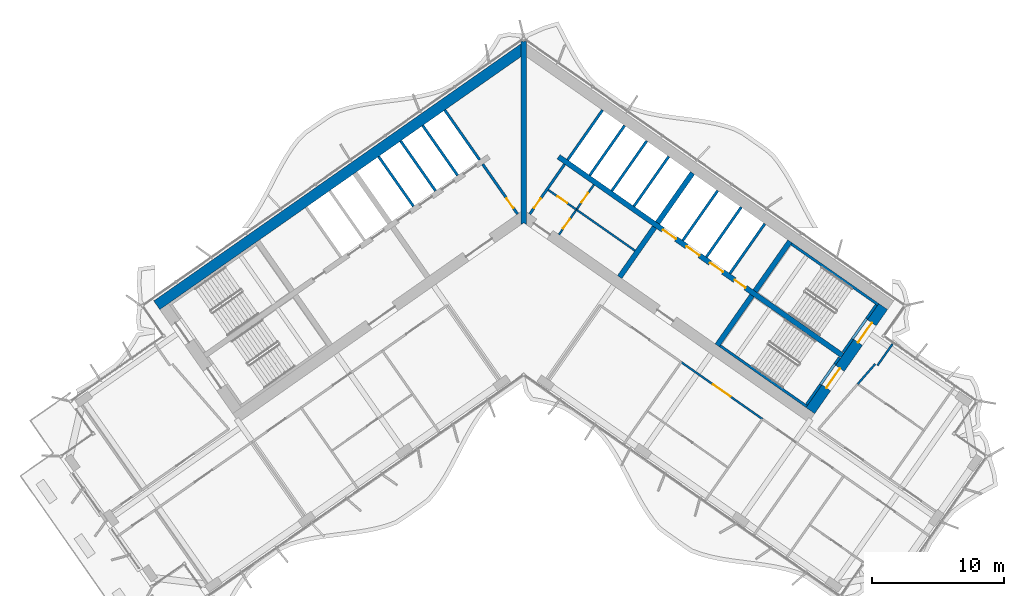
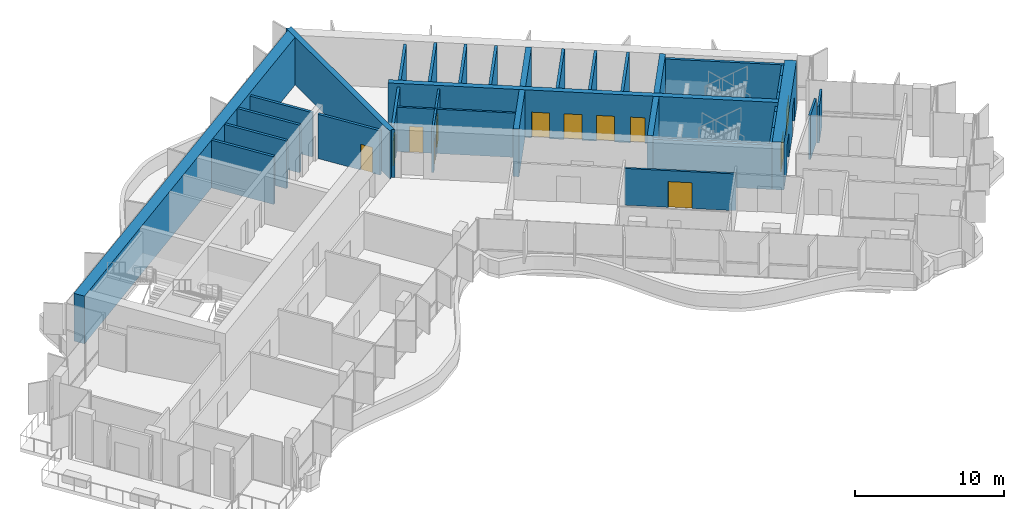
# One storey, part 14 of 22: 35 walls, 12 doors, 12 openings.
"""IFC4 building model written with IfcOpenShell, lengths in metres."""

from ifc_helpers import new_model, si_unit, direction, frame, frame_2d, origin, place, context, subcontext, project, spatial, polyline, rectangle, outline, extrude, material, layer, layer_set, type_object, element, fill, save


model = new_model("IFC4")

# Units and contexts
model_context = context("Model", 3, precision=1e-05, world=origin(), true_north=direction((0.0, 1.0)))
body_context = subcontext(model_context, "Body", "Model", "MODEL_VIEW")
ifc_project = project(units=[si_unit("LENGTHUNIT", "METRE"), si_unit("AREAUNIT", "SQUARE_METRE"), si_unit("VOLUMEUNIT", "CUBIC_METRE"), si_unit("PLANEANGLEUNIT", "RADIAN"), si_unit("MASSUNIT", "GRAM", prefix="KILO")], contexts=[model_context])

# Site, building, storey
site_placement = place(None, origin())
site = spatial("IfcSite", under=ifc_project, at=site_placement, CompositionType="ELEMENT")
building_placement = place(site_placement, origin())
building = spatial("IfcBuilding", under=site, at=building_placement, Name="Tel Ilan Convention Tower", CompositionType="ELEMENT")
storey_placement = place(building_placement, frame((0.0, 0.0, 202.199951171875)))
storey = spatial("IfcBuildingStorey", under=building, at=storey_placement, Name="L47", CompositionType="ELEMENT", Elevation=202.199951171875)

# Wall, openings, doors
ifc_material_1 = material(Name="Gypsum Plasterboard on Steel Stud", Category="steel")
ifc_layer_1 = layer(ifc_material_1, 0.14990234375)
ifc_layer_set_1 = layer_set([ifc_layer_1], Name="Core Room Partition Wall 150 mm EI 60")
wall_type_1 = type_object("IfcWallType", Name="Core Room Partition Wall 150 mm EI 60", PredefinedType="PARTITIONING", material=ifc_layer_set_1)
wall_1_placement = place(storey_placement, frame((2.67041015625, -2.114013671875, 0.0), z_axis=(0.0, 0.0, 1.0), x_axis=(0.573576324356, 0.819152122709, 0.0)))
wall_1 = element("IfcWall", 1, at=wall_1_placement, inside=storey, type_object=wall_type_1, Name="L47 core wall wc-v1", PredefinedType="PARTITIONING", context=body_context, shape_type="SweptSolid", body=[
    extrude(rectangle(XDim=4.599853515625, YDim=0.14990234375, at=frame_2d((2.2998046875, 0.0))), origin(), (0.0, 0.0, 1.0), 3.6201171875),
])
opening_1_placement = place(wall_1_placement, frame((0.550048828125, 0.0, 0.0)))
opening_1 = element("IfcOpeningElement", 2, at=opening_1_placement, cuts=wall_1, Name="Opening CD3710", PredefinedType="OPENING", context=body_context, shape_type="SweptSolid", body=[
    extrude(rectangle(XDim=0.89990234375, YDim=2.10009765625, at=frame_2d((0.449951171875, 1.050048828125))), frame((0.0, 0.0849609375, 0.0), z_axis=(0.0, -1.0, 0.0), x_axis=(1.0, 0.0, 0.0)), (0.0, 0.0, 1.0), 0.169921875),
])
opening_2_placement = place(wall_1_placement, frame((2.949951171875, 0.0, 0.0)))
opening_2 = element("IfcOpeningElement", 3, at=opening_2_placement, cuts=wall_1, Name="Opening CD3711", PredefinedType="OPENING", context=body_context, shape_type="SweptSolid", body=[
    extrude(rectangle(XDim=0.89990234375, YDim=2.10009765625, at=frame_2d((0.449951171875, 1.050048828125))), frame((0.0, 0.0849609375, 0.0), z_axis=(0.0, -1.0, 0.0), x_axis=(1.0, 0.0, 0.0)), (0.0, 0.0, 1.0), 0.169921875),
])
ifc_material_2 = material(Name="Laminated Timber Door Leaf", Category="wood")
door_type_1 = type_object("IfcDoorType", Name="Toilet Door 900 x 2100 FD30S", OperationType="NOTDEFINED", PredefinedType="DOOR", material=ifc_material_2)
door_1_placement = place(opening_1_placement, origin())
door_1 = element("IfcDoor", 4, at=door_1_placement, inside=storey, type_object=door_type_1, Name="Women's WC door", OperationType="SINGLE_SWING_RIGHT", OverallHeight=2.10009765625, OverallWidth=0.89990234375, PredefinedType="DOOR", context=body_context, shape_type="SweptSolid", body=[
    extrude(rectangle(XDim=0.89990234375, YDim=2.10009765625, at=frame_2d((0.449951171875, 1.050048828125))), frame((0.0, 0.02490234375, 0.0), z_axis=(0.0, -1.0, 0.0), x_axis=(1.0, 0.0, 0.0)), (0.0, 0.0, 1.0), 0.050048828125),
])
fill(opening_1, door_1)
door_2_placement = place(opening_2_placement, origin())
door_2 = element("IfcDoor", 5, at=door_2_placement, inside=storey, type_object=door_type_1, Name="Men's WC door", OperationType="SINGLE_SWING_RIGHT", OverallHeight=2.10009765625, OverallWidth=0.89990234375, PredefinedType="DOOR", context=body_context, shape_type="SweptSolid", body=[
    extrude(rectangle(XDim=0.89990234375, YDim=2.10009765625, at=frame_2d((0.449951171875, 1.050048828125))), frame((0.0, 0.02490234375, 0.0), z_axis=(0.0, -1.0, 0.0), x_axis=(1.0, 0.0, 0.0)), (0.0, 0.0, 1.0), 0.050048828125),
])
fill(opening_2, door_2)

# Wall, opening, door
wall_2_placement = place(storey_placement, frame((1.85986328125, 1.261474609375, 0.0), z_axis=(0.0, 0.0, 1.0), x_axis=(0.819103967032, -0.573645091666, 0.0)))
wall_2 = element("IfcWall", 6, at=wall_2_placement, inside=storey, type_object=wall_type_1, Name="L47 core wall wc-h1", PredefinedType="PARTITIONING", context=body_context, shape_type="SweptSolid", body=[
    extrude(rectangle(XDim=2.599853515625, YDim=0.14990234375, at=frame_2d((1.2998046875, 0.0))), origin(), (0.0, 0.0, 1.0), 3.6201171875),
])
opening_3_placement = place(wall_2_placement, frame((0.85009765625, 0.0, 0.0)))
opening_3 = element("IfcOpeningElement", 7, at=opening_3_placement, cuts=wall_2, Name="Opening CD3709", PredefinedType="OPENING", context=body_context, shape_type="SweptSolid", body=[
    extrude(rectangle(XDim=0.89990234375, YDim=2.10009765625, at=frame_2d((0.449951171875, 1.050048828125))), frame((0.0, 0.0849609375, 0.0), z_axis=(0.0, -1.0, 0.0), x_axis=(1.0, 0.0, 0.0)), (0.0, 0.0, 1.0), 0.169921875),
])
door_3_placement = place(opening_3_placement, origin())
door_3 = element("IfcDoor", 8, at=door_3_placement, inside=storey, type_object=door_type_1, Name="Accessible WC door", OperationType="SINGLE_SWING_RIGHT", OverallHeight=2.10009765625, OverallWidth=0.89990234375, PredefinedType="DOOR", context=body_context, shape_type="SweptSolid", body=[
    extrude(rectangle(XDim=0.89990234375, YDim=2.10009765625, at=frame_2d((0.449951171875, 1.050048828125))), frame((0.0, 0.02490234375, 0.0), z_axis=(0.0, -1.0, 0.0), x_axis=(1.0, 0.0, 0.0)), (0.0, 0.0, 1.0), 0.050048828125),
])
fill(opening_3, door_3)

# Wall
wall_3_placement = place(storey_placement, frame((3.989501953125, -0.22998046875, 0.0), z_axis=(0.0, 0.0, 1.0), x_axis=(0.819153326956, -0.573574604508, 0.0)))
element("IfcWall", 9, at=wall_3_placement, inside=storey, type_object=wall_type_1, Name="L47 core wall wc-h2", PredefinedType="PARTITIONING", context=body_context, shape_type="SweptSolid", body=[
    extrude(rectangle(XDim=5.400146484375, YDim=0.14990234375, at=frame_2d((2.7001953125, 0.0))), origin(), (0.0, 0.0, 1.0), 3.6201171875),
])

# Wall, opening, door
ifc_material_3 = material(Name="Concrete C30/37", Category="concrete")
ifc_layer_2 = layer(ifc_material_3, 0.199951171875)
ifc_layer_set_2 = layer_set([ifc_layer_2], Name="Core Service Room Wall 200 mm C30/37")
wall_type_2 = type_object("IfcWallType", Name="Core Service Room Wall 200 mm C30/37", PredefinedType="SOLIDWALL", material=ifc_layer_set_2)
wall_4_placement = place(storey_placement, frame((-0.458740234375, -0.565185546875, 0.0), z_axis=(0.0, 0.0, 1.0), x_axis=(-0.573576324356, 0.819152122709, 0.0)))
wall_4 = element("IfcWall", 10, at=wall_4_placement, inside=storey, type_object=wall_type_2, Name="L47 core wall apex-W", PredefinedType="SOLIDWALL", context=body_context, shape_type="SweptSolid", body=[
    extrude(rectangle(XDim=4.599853515625, YDim=0.199951171875, at=frame_2d((2.2998046875, 0.0))), origin(), (0.0, 0.0, 1.0), 3.6201171875),
])
opening_4_placement = place(wall_4_placement, frame((0.550048828125, 0.0, 0.0)))
opening_4 = element("IfcOpeningElement", 11, at=opening_4_placement, cuts=wall_4, Name="Opening CD3702", PredefinedType="OPENING", context=body_context, shape_type="SweptSolid", body=[
    extrude(rectangle(XDim=0.89990234375, YDim=2.10009765625, at=frame_2d((0.449951171875, 1.050048828125))), frame((0.0, 0.10986328125, 0.0), z_axis=(0.0, -1.0, 0.0), x_axis=(1.0, 0.0, 0.0)), (0.0, 0.0, 1.0), 0.219970703125),
])
ifc_material_4 = material(Name="Galvanised Steel Door Leaf", Category="steel")
door_type_2 = type_object("IfcDoorType", Name="Service Room Door 900 x 2100 FD60", OperationType="NOTDEFINED", PredefinedType="DOOR", material=ifc_material_4)
door_4_placement = place(opening_4_placement, origin())
door_4 = element("IfcDoor", 12, at=door_4_placement, inside=storey, type_object=door_type_2, Name="Electrical Room door", OperationType="SINGLE_SWING_RIGHT", OverallHeight=2.10009765625, OverallWidth=0.89990234375, PredefinedType="DOOR", context=body_context, shape_type="SweptSolid", body=[
    extrude(rectangle(XDim=0.89990234375, YDim=2.10009765625, at=frame_2d((0.449951171875, 1.050048828125))), frame((0.0, 0.02490234375, 0.0), z_axis=(0.0, -1.0, 0.0), x_axis=(1.0, 0.0, 0.0)), (0.0, 0.0, 1.0), 0.050048828125),
])
fill(opening_4, door_4)

# Wall
wall_5_placement = place(storey_placement, frame((-3.32666015625, 3.530517578125, 0.0), z_axis=(0.0, 0.0, 1.0), x_axis=(-0.573576324356, 0.819152122709, 0.0)))
element("IfcWall", 13, at=wall_5_placement, inside=storey, type_object=wall_type_2, Name="L47 core wall apex-W-b", PredefinedType="SOLIDWALL", context=body_context, shape_type="SweptSolid", body=[
    extrude(rectangle(XDim=4.599853515625, YDim=0.199951171875, at=frame_2d((2.2998046875, 0.0))), origin(), (0.0, 0.0, 1.0), 3.6201171875),
])

# Wall, opening, door
wall_6_placement = place(storey_placement, frame((0.458740234375, -0.565185546875, 0.0), z_axis=(0.0, 0.0, 1.0), x_axis=(0.573576324356, 0.819152122709, 0.0)))
wall_6 = element("IfcWall", 14, at=wall_6_placement, inside=storey, type_object=wall_type_2, Name="L47 core wall apex-E", PredefinedType="SOLIDWALL", context=body_context, shape_type="SweptSolid", body=[
    extrude(rectangle(XDim=4.599853515625, YDim=0.199951171875, at=frame_2d((2.2998046875, 0.0))), origin(), (0.0, 0.0, 1.0), 3.6201171875),
])
opening_5_placement = place(wall_6_placement, frame((0.550048828125, 0.0, 0.0)))
opening_5 = element("IfcOpeningElement", 15, at=opening_5_placement, cuts=wall_6, Name="Opening CD3701", PredefinedType="OPENING", context=body_context, shape_type="SweptSolid", body=[
    extrude(rectangle(XDim=0.89990234375, YDim=2.10009765625, at=frame_2d((0.449951171875, 1.050048828125))), frame((0.0, 0.10986328125, 0.0), z_axis=(0.0, -1.0, 0.0), x_axis=(1.0, 0.0, 0.0)), (0.0, 0.0, 1.0), 0.219970703125),
])
door_5_placement = place(opening_5_placement, origin())
door_5 = element("IfcDoor", 16, at=door_5_placement, inside=storey, type_object=door_type_2, Name="Store Room door", OperationType="SINGLE_SWING_RIGHT", OverallHeight=2.10009765625, OverallWidth=0.89990234375, PredefinedType="DOOR", context=body_context, shape_type="SweptSolid", body=[
    extrude(rectangle(XDim=0.89990234375, YDim=2.10009765625, at=frame_2d((0.449951171875, 1.050048828125))), frame((0.0, 0.02490234375, 0.0), z_axis=(0.0, -1.0, 0.0), x_axis=(1.0, 0.0, 0.0)), (0.0, 0.0, 1.0), 0.050048828125),
])
fill(opening_5, door_5)

# Walls
wall_7_placement = place(storey_placement, frame((3.32666015625, 3.530517578125, 0.0), z_axis=(0.0, 0.0, 1.0), x_axis=(0.573576324356, 0.819152122709, 0.0)))
element("IfcWall", 17, at=wall_7_placement, inside=storey, type_object=wall_type_2, Name="L47 core wall apex-E-b", PredefinedType="SOLIDWALL", context=body_context, shape_type="SweptSolid", body=[
    extrude(rectangle(XDim=4.599853515625, YDim=0.199951171875, at=frame_2d((2.2998046875, 0.0))), origin(), (0.0, 0.0, 1.0), 3.6201171875),
])
ifc_material_5 = material(Name="Concrete C50/60", Category="concrete")
ifc_layer_3 = layer(ifc_material_5, 0.39990234375)
ifc_layer_set_3 = layer_set([ifc_layer_3], Name="Core Shear Wall 400 mm C50/60")
wall_type_3 = type_object("IfcWallType", Name="Core Shear Wall 400 mm C50/60", PredefinedType="SHEAR", material=ifc_layer_set_3)
wall_8_placement = place(storey_placement, frame((7.2578125, -5.325927734375, 0.0), z_axis=(0.0, 0.0, 1.0), x_axis=(0.573540709186, 0.819177059558, 0.0)))
element("IfcWall", 18, at=wall_8_placement, inside=storey, type_object=wall_type_3, Name="L47 core wall E-cross1-1", PredefinedType="SHEAR", context=body_context, shape_type="SweptSolid", body=[
    extrude(outline(polyline([(-0.000244140625, 0.2001953125), (-0.000244140625, -0.199951171875), (4.599853515625, -0.2001953125), (4.599853515625, 0.199951171875), (-0.000244140625, 0.2001953125)])), origin(), (0.0, 0.0, 1.0), 3.900146484375),
])
wall_9_placement = place(storey_placement, frame((10.12548828125, -1.230224609375, 0.0), z_axis=(0.0, 0.0, 1.0), x_axis=(0.573576324356, 0.819152122709, 0.0)))
element("IfcWall", 19, at=wall_9_placement, inside=storey, type_object=wall_type_3, Name="L47 core wall E-cross1-2", PredefinedType="SHEAR", context=body_context, shape_type="SweptSolid", body=[
    extrude(outline(polyline([(4.599853515625, -0.199951171875), (4.60009765625, 0.199951171875), (0.0, 0.199951171875), (0.0, -0.2001953125), (4.599853515625, -0.199951171875)])), origin(), (0.0, 0.0, 1.0), 3.900146484375),
])
wall_10_placement = place(storey_placement, frame((14.6298828125, -10.48828125, 0.0), z_axis=(0.0, 0.0, 1.0), x_axis=(0.573611936273, 0.819127185829, 0.0)))
element("IfcWall", 20, at=wall_10_placement, inside=storey, type_object=wall_type_3, Name="L47 core wall E-cross2-1", PredefinedType="SHEAR", context=body_context, shape_type="SweptSolid", body=[
    extrude(outline(polyline([(0.000244140625, 0.199951171875), (0.000244140625, -0.2001953125), (4.60009765625, -0.199951171875), (4.60009765625, 0.2001953125), (0.000244140625, 0.199951171875)])), origin(), (0.0, 0.0, 1.0), 3.900146484375),
])
wall_11_placement = place(storey_placement, frame((17.497802734375, -6.392333984375, 0.0), z_axis=(0.0, 0.0, 1.0), x_axis=(0.573611936273, 0.819127185829, 0.0)))
element("IfcWall", 21, at=wall_11_placement, inside=storey, type_object=wall_type_3, Name="L47 core wall E-cross2-2", PredefinedType="SHEAR", context=body_context, shape_type="SweptSolid", body=[
    extrude(outline(polyline([(4.599853515625, -0.199951171875), (4.599853515625, 0.2001953125), (0.0, 0.199951171875), (0.0, -0.2001953125), (4.599853515625, -0.199951171875)])), origin(), (0.0, 0.0, 1.0), 3.900146484375),
])

# Wall, openings, doors
wall_12_placement = place(storey_placement, frame((2.638427734375, 3.76806640625, 0.0), z_axis=(0.0, 0.0, 1.0), x_axis=(0.81915267502, -0.573575535572, 0.0)))
wall_12 = element("IfcWall", 22, at=wall_12_placement, inside=storey, type_object=wall_type_3, Name="L47 core wall E-spine", PredefinedType="SHEAR", context=body_context, shape_type="SweptSolid", body=[
    extrude(outline(polyline([(0.0, 0.199951171875), (0.0, -0.199951171875), (26.199951171875, -0.199951171875), (26.199951171875, 0.199951171875), (0.0, 0.199951171875)])), origin(), (0.0, 0.0, 1.0), 3.900146484375),
])
opening_6_placement = place(wall_12_placement, frame((9.637451171875, 0.0, 0.0)))
opening_6 = element("IfcOpeningElement", 23, at=opening_6_placement, cuts=wall_12, Name="Opening LD3701", PredefinedType="OPENING", context=body_context, shape_type="SweptSolid", body=[
    extrude(rectangle(XDim=1.199951171875, YDim=2.10009765625, at=frame_2d((0.60009765625, 1.050048828125))), frame((0.0, 0.2099609375, 0.0), z_axis=(0.0, -1.0, 0.0), x_axis=(1.0, 0.0, 0.0)), (0.0, 0.0, 1.0), 0.419921875),
])
opening_7_placement = place(wall_12_placement, frame((11.8125, 0.0, 0.0)))
opening_7 = element("IfcOpeningElement", 24, at=opening_7_placement, cuts=wall_12, Name="Opening LD3702", PredefinedType="OPENING", context=body_context, shape_type="SweptSolid", body=[
    extrude(rectangle(XDim=1.199951171875, YDim=2.10009765625, at=frame_2d((0.60009765625, 1.050048828125))), frame((0.0, 0.2099609375, 0.0), z_axis=(0.0, -1.0, 0.0), x_axis=(1.0, 0.0, 0.0)), (0.0, 0.0, 1.0), 0.419921875),
])
opening_8_placement = place(wall_12_placement, frame((13.987548828125, 0.0, 0.0)))
opening_8 = element("IfcOpeningElement", 25, at=opening_8_placement, cuts=wall_12, Name="Opening LD3703", PredefinedType="OPENING", context=body_context, shape_type="SweptSolid", body=[
    extrude(rectangle(XDim=1.199951171875, YDim=2.10009765625, at=frame_2d((0.60009765625, 1.050048828125))), frame((0.0, 0.2099609375, 0.0), z_axis=(0.0, -1.0, 0.0), x_axis=(1.0, 0.0, 0.0)), (0.0, 0.0, 1.0), 0.419921875),
])
opening_9_placement = place(wall_12_placement, frame((16.262451171875, 0.0, 0.0)))
opening_9 = element("IfcOpeningElement", 26, at=opening_9_placement, cuts=wall_12, Name="Opening CD3707", PredefinedType="OPENING", context=body_context, shape_type="SweptSolid", body=[
    extrude(rectangle(XDim=1.0, YDim=2.10009765625, at=frame_2d((0.5, 1.050048828125))), frame((0.0, 0.2099609375, 0.0), z_axis=(0.0, -1.0, 0.0), x_axis=(1.0, 0.0, 0.0)), (0.0, 0.0, 1.0), 0.419921875),
])
ifc_material_6 = material(Name="Stainless Steel Sliding Door Leaf", Category="steel")
door_type_3 = type_object("IfcDoorType", Name="Lift Landing Door 1200 x 2100 FD120", OperationType="NOTDEFINED", PredefinedType="DOOR", material=ifc_material_6)
door_6_placement = place(opening_6_placement, origin())
door_6 = element("IfcDoor", 27, at=door_6_placement, inside=storey, type_object=door_type_3, Name="Lift FL1 landing door", OperationType="SLIDING_TO_LEFT", OverallHeight=2.10009765625, OverallWidth=1.199951171875, PredefinedType="DOOR", context=body_context, shape_type="SweptSolid", body=[
    extrude(rectangle(XDim=1.199951171875, YDim=2.10009765625, at=frame_2d((0.60009765625, 1.050048828125))), frame((0.0, 0.02490234375, 0.0), z_axis=(0.0, -1.0, 0.0), x_axis=(1.0, 0.0, 0.0)), (0.0, 0.0, 1.0), 0.050048828125),
])
fill(opening_6, door_6)
door_7_placement = place(opening_7_placement, origin())
door_7 = element("IfcDoor", 28, at=door_7_placement, inside=storey, type_object=door_type_3, Name="Lift FL2 landing door", OperationType="SLIDING_TO_RIGHT", OverallHeight=2.10009765625, OverallWidth=1.199951171875, PredefinedType="DOOR", context=body_context, shape_type="SweptSolid", body=[
    extrude(rectangle(XDim=1.199951171875, YDim=2.10009765625, at=frame_2d((0.60009765625, 1.050048828125))), frame((0.0, 0.02490234375, 0.0), z_axis=(0.0, -1.0, 0.0), x_axis=(1.0, 0.0, 0.0)), (0.0, 0.0, 1.0), 0.050048828125),
])
fill(opening_7, door_7)
door_8_placement = place(opening_8_placement, origin())
door_8 = element("IfcDoor", 29, at=door_8_placement, inside=storey, type_object=door_type_3, Name="Lift FL3 landing door", OperationType="SLIDING_TO_LEFT", OverallHeight=2.10009765625, OverallWidth=1.199951171875, PredefinedType="DOOR", context=body_context, shape_type="SweptSolid", body=[
    extrude(rectangle(XDim=1.199951171875, YDim=2.10009765625, at=frame_2d((0.60009765625, 1.050048828125))), frame((0.0, 0.02490234375, 0.0), z_axis=(0.0, -1.0, 0.0), x_axis=(1.0, 0.0, 0.0)), (0.0, 0.0, 1.0), 0.050048828125),
])
fill(opening_8, door_8)
ifc_material_7 = material(Name="Galvanised Steel Door Leaf", Category="steel")
door_type_4 = type_object("IfcDoorType", Name="Service Room Door 1000 x 2100 FD60", OperationType="NOTDEFINED", PredefinedType="DOOR", material=ifc_material_7)
door_9_placement = place(opening_9_placement, origin())
door_9 = element("IfcDoor", 30, at=door_9_placement, inside=storey, type_object=door_type_4, Name="Plant Room door", OperationType="SINGLE_SWING_RIGHT", OverallHeight=2.10009765625, OverallWidth=1.0, PredefinedType="DOOR", context=body_context, shape_type="SweptSolid", body=[
    extrude(rectangle(XDim=1.0, YDim=2.10009765625, at=frame_2d((0.5, 1.050048828125))), frame((0.0, 0.02490234375, 0.0), z_axis=(0.0, -1.0, 0.0), x_axis=(1.0, 0.0, 0.0)), (0.0, 0.0, 1.0), 0.050048828125),
])
fill(opening_9, door_9)

# Walls
wall_13_placement = place(storey_placement, frame((0.0, -1.36083984375, 0.0), z_axis=(0.0, 0.0, 1.0), x_axis=(0.0, 1.0, 0.0)))
element("IfcWall", 31, at=wall_13_placement, inside=storey, type_object=wall_type_3, Name="L47 core wall K-central", PredefinedType="SHEAR", context=body_context, shape_type="SweptSolid", body=[
    extrude(outline(polyline([(0.0, -0.199951171875), (0.14013671875, -0.199951171875), (1.0751953125, -0.199951171875), (12.696044921875, -0.199951171875), (13.812744140625, -0.199951171875), (13.893310546875, -0.199951171875), (13.933349609375, -0.172119140625), (13.812744140625, 0.0), (13.933349609375, 0.172119140625), (13.893310546875, 0.199951171875), (13.812744140625, 0.199951171875), (12.696044921875, 0.199951171875), (1.0751953125, 0.199951171875), (0.14013671875, 0.199951171875), (0.0, 0.199951171875), (0.14013671875, 0.0), (0.0, -0.199951171875)])), origin(), (0.0, 0.0, 1.0), 3.900146484375),
])
ifc_material_8 = material(Name="Concrete C50/60", Category="concrete")
ifc_layer_4 = layer(ifc_material_8, 0.800048828125)
ifc_layer_set_4 = layer_set([ifc_layer_4], Name="Core Shear Wall 800 mm C50/60")
wall_type_4 = type_object("IfcWallType", Name="Core Shear Wall 800 mm C50/60", PredefinedType="SHEAR", material=ifc_layer_set_4)
wall_14_placement = place(storey_placement, frame((0.029296875, 11.984130859375, 0.0), z_axis=(0.0, 0.0, 1.0), x_axis=(-0.819151382952, -0.573577380837, 0.0)))
element("IfcWall", 32, at=wall_14_placement, inside=storey, type_object=wall_type_4, Name="L47 core wall W-back", PredefinedType="SHEAR", context=body_context, shape_type="SweptSolid", body=[
    extrude(outline(polyline([(33.897705078125, 0.39990234375), (0.56005859375, 0.400146484375), (-0.000244140625, -0.39990234375), (33.897705078125, -0.400146484375), (33.897705078125, 0.39990234375)])), origin(), (0.0, 0.0, 1.0), 3.900146484375),
])

# Wall, openings, doors
wall_15_placement = place(storey_placement, frame((21.6748046875, -15.4208984375, 0.0), z_axis=(0.0, 0.0, 1.0), x_axis=(0.573581815061, 0.819148278049, 0.0)))
wall_15 = element("IfcWall", 33, at=wall_15_placement, inside=storey, type_object=wall_type_4, Name="L47 core wall E-end", PredefinedType="SHEAR", context=body_context, shape_type="SweptSolid", body=[
    extrude(outline(polyline([(9.599853515625, 0.400146484375), (0.0, 0.39990234375), (0.0, -0.39990234375), (9.599853515625, -0.39990234375), (9.599853515625, 0.400146484375)])), origin(), (0.0, 0.0, 1.0), 3.900146484375),
])
opening_10_placement = place(wall_15_placement, frame((6.300048828125, 0.0, 0.0)))
opening_10 = element("IfcOpeningElement", 34, at=opening_10_placement, cuts=wall_15, Name="Opening SD3703", PredefinedType="OPENING", context=body_context, shape_type="SweptSolid", body=[
    extrude(rectangle(XDim=1.800048828125, YDim=2.10009765625, at=frame_2d((0.89990234375, 1.050048828125))), frame((0.0, 0.409912109375, 0.0), z_axis=(0.0, -1.0, 0.0), x_axis=(1.0, 0.0, 0.0)), (0.0, 0.0, 1.0), 0.820068359375),
])
opening_11_placement = place(wall_15_placement, frame((2.10009765625, 0.0, 0.0)))
opening_11 = element("IfcOpeningElement", 35, at=opening_11_placement, cuts=wall_15, Name="Opening SD3704", PredefinedType="OPENING", context=body_context, shape_type="SweptSolid", body=[
    extrude(rectangle(XDim=1.800048828125, YDim=2.10009765625, at=frame_2d((0.89990234375, 1.050048828125))), frame((0.0, 0.409912109375, 0.0), z_axis=(0.0, -1.0, 0.0), x_axis=(1.0, 0.0, 0.0)), (0.0, 0.0, 1.0), 0.820068359375),
])
ifc_material_9 = material(Name="Galvanised Steel Door Leaf", Category="steel")
door_type_5 = type_object("IfcDoorType", Name="Stair Fire Door 1800 x 2100 FD60S", OperationType="NOTDEFINED", PredefinedType="DOOR", material=ifc_material_9)
door_10_placement = place(opening_10_placement, origin())
door_10 = element("IfcDoor", 36, at=door_10_placement, inside=storey, type_object=door_type_5, Name="Stair S3 door", OperationType="DOUBLE_DOOR_SINGLE_SWING", OverallHeight=2.10009765625, OverallWidth=1.800048828125, PredefinedType="DOOR", context=body_context, shape_type="SweptSolid", body=[
    extrude(rectangle(XDim=1.800048828125, YDim=2.10009765625, at=frame_2d((0.89990234375, 1.050048828125))), frame((0.0, 0.02490234375, 0.0), z_axis=(0.0, -1.0, 0.0), x_axis=(1.0, 0.0, 0.0)), (0.0, 0.0, 1.0), 0.050048828125),
])
fill(opening_10, door_10)
door_11_placement = place(opening_11_placement, origin())
door_11 = element("IfcDoor", 37, at=door_11_placement, inside=storey, type_object=door_type_5, Name="Stair S4 door", OperationType="DOUBLE_DOOR_SINGLE_SWING", OverallHeight=2.10009765625, OverallWidth=1.800048828125, PredefinedType="DOOR", context=body_context, shape_type="SweptSolid", body=[
    extrude(rectangle(XDim=1.800048828125, YDim=2.10009765625, at=frame_2d((0.89990234375, 1.050048828125))), frame((0.0, 0.02490234375, 0.0), z_axis=(0.0, -1.0, 0.0), x_axis=(1.0, 0.0, 0.0)), (0.0, 0.0, 1.0), 0.050048828125),
])
fill(opening_11, door_11)

# Wall, opening, door
ifc_material_10 = material(Name="Plasterboard on Steel Studs", Category="steel")
ifc_layer_5 = layer(ifc_material_10, 0.14990234375)
ifc_layer_set_5 = layer_set([ifc_layer_5], Name="Fire-rated Partition 150 EI 60")
wall_type_5 = type_object("IfcWallType", Name="Fire-rated Partition 150 EI 60", PredefinedType="PARTITIONING", material=ifc_layer_set_5)
wall_16_placement = place(storey_placement, frame((18.055419921875, -16.060546875, 0.0), z_axis=(0.0, 0.0, 1.0), x_axis=(-0.819164661457, 0.573558416746, 0.0)))
wall_16 = element("IfcWall", 38, at=wall_16_placement, inside=storey, type_object=wall_type_5, Name="Partition 004", PredefinedType="PARTITIONING", context=body_context, shape_type="SweptSolid", body=[
    extrude(rectangle(XDim=7.50390625, YDim=0.14990234375, at=frame_2d((3.751953125, 0.0))), origin(), (0.0, 0.0, 1.0), 3.0),
])
opening_12_placement = place(wall_16_placement, frame((2.951904296875, 0.0, 0.0)))
opening_12 = element("IfcOpeningElement", 39, at=opening_12_placement, cuts=wall_16, Name="Opening L47-010", PredefinedType="OPENING", context=body_context, shape_type="SweptSolid", body=[
    extrude(rectangle(XDim=1.60009765625, YDim=2.10009765625, at=frame_2d((0.800048828125, 1.050048828125))), frame((0.0, 0.0849609375, 0.0), z_axis=(0.0, -1.0, 0.0), x_axis=(1.0, 0.0, 0.0)), (0.0, 0.0, 1.0), 0.169921875),
])
ifc_material_11 = material(Name="Timber Door Leaf in Steel Frame", Category="steel")
door_type_6 = type_object("IfcDoorType", Name="Tenant Suite Entrance Fire Door 1600x2100", OperationType="NOTDEFINED", PredefinedType="DOOR", material=ifc_material_11)
door_12_placement = place(opening_12_placement, origin())
door_12 = element("IfcDoor", 40, at=door_12_placement, inside=storey, type_object=door_type_6, Name="Door L47-010", OperationType="DOUBLE_DOOR_SINGLE_SWING", OverallHeight=2.10009765625, OverallWidth=1.60009765625, PredefinedType="DOOR", context=body_context, shape_type="SweptSolid", body=[
    extrude(rectangle(XDim=1.60009765625, YDim=2.10009765625, at=frame_2d((0.800048828125, 1.050048828125))), frame((0.0, 0.02490234375, 0.0), z_axis=(0.0, -1.0, 0.0), x_axis=(1.0, 0.0, 0.0)), (0.0, 0.0, 1.0), 0.050048828125),
])
fill(opening_12, door_12)

# Walls
wall_17_placement = place(storey_placement, frame((25.257568359375, -13.41162109375, 0.0), z_axis=(0.0, 0.0, 1.0), x_axis=(0.656791883473, 0.75407189432, 0.0)))
element("IfcWall", 41, at=wall_17_placement, inside=storey, type_object=wall_type_5, Name="Partition 017", PredefinedType="PARTITIONING", context=body_context, shape_type="SweptSolid", body=[
    extrude(rectangle(XDim=2.01025390625, YDim=0.14990234375, at=frame_2d((1.005126953125, 0.0))), origin(), (0.0, 0.0, 1.0), 3.6201171875),
])
wall_18_placement = place(storey_placement, frame((26.74609375, -12.013671875, 0.0), z_axis=(0.0, 0.0, 1.0), x_axis=(0.573568836472, 0.819157365729, 0.0)))
element("IfcWall", 42, at=wall_18_placement, inside=storey, type_object=wall_type_5, Name="Partition 018", PredefinedType="PARTITIONING", context=body_context, shape_type="SweptSolid", body=[
    extrude(rectangle(XDim=2.000244140625, YDim=0.14990234375, at=frame_2d((1.0, 0.0))), origin(), (0.0, 0.0, 1.0), 3.0),
])
ifc_material_12 = material(Name="Concrete C30/37", Category="concrete")
ifc_layer_6 = layer(ifc_material_12, 0.199951171875)
ifc_layer_set_6 = layer_set([ifc_layer_6], Name="Lift Shaft Wall 200 mm C30/37")
wall_type_6 = type_object("IfcWallType", Name="Lift Shaft Wall 200 mm C30/37", PredefinedType="SOLIDWALL", material=ifc_layer_set_6)
for number, where, z_axis, x_axis, name in (
    (43, (-4.99560546875, 2.36181640625, 0.0), (0.0, 0.0, 1.0), (-0.573576324356, 0.819152122709, 0.0), "L47 core wall bank-W1-p0"),
    (44, (-6.66455078125, 1.193115234375, 0.0), (0.0, 0.0, 1.0), (-0.573576324356, 0.819152122709, 0.0), "L47 core wall bank-W1-p1"),
):
    element("IfcWall", number, at=place(storey_placement, frame(where, z_axis=z_axis, x_axis=x_axis)), inside=storey, type_object=wall_type_6, Name=name, PredefinedType="SOLIDWALL", context=body_context, shape_type="SweptSolid", body=[
        extrude(rectangle(XDim=4.599853515625, YDim=0.199951171875, at=frame_2d((2.2998046875, 0.0))), origin(), (0.0, 0.0, 1.0), 3.900146484375),
    ])
wall_19_placement = place(storey_placement, frame((-8.33349609375, 0.0244140625, 0.0), z_axis=(0.0, 0.0, 1.0), x_axis=(-0.573611936273, 0.819127185829, 0.0)))
element("IfcWall", 45, at=wall_19_placement, inside=storey, type_object=wall_type_6, Name="L47 core wall bank-W1-p2", PredefinedType="SOLIDWALL", context=body_context, shape_type="SweptSolid", body=[
    extrude(rectangle(XDim=4.60009765625, YDim=0.199951171875, at=frame_2d((2.300048828125, 0.0))), origin(), (0.0, 0.0, 1.0), 3.900146484375),
])
for number, where, z_axis, x_axis, name in (
    (46, (4.99560546875, 2.36181640625, 0.0), (0.0, 0.0, 1.0), (0.573576324356, 0.819152122709, 0.0), "L47 core wall bank-E1-p0"),
    (47, (6.66455078125, 1.193115234375, 0.0), (0.0, 0.0, 1.0), (0.573576324356, 0.819152122709, 0.0), "L47 core wall bank-E1-p1"),
):
    element("IfcWall", number, at=place(storey_placement, frame(where, z_axis=z_axis, x_axis=x_axis)), inside=storey, type_object=wall_type_6, Name=name, PredefinedType="SOLIDWALL", context=body_context, shape_type="SweptSolid", body=[
        extrude(rectangle(XDim=4.599853515625, YDim=0.199951171875, at=frame_2d((2.2998046875, 0.0))), origin(), (0.0, 0.0, 1.0), 3.900146484375),
    ])
wall_20_placement = place(storey_placement, frame((8.33349609375, 0.0244140625, 0.0), z_axis=(0.0, 0.0, 1.0), x_axis=(0.573611936273, 0.819127185829, 0.0)))
element("IfcWall", 48, at=wall_20_placement, inside=storey, type_object=wall_type_6, Name="L47 core wall bank-E1-p2", PredefinedType="SOLIDWALL", context=body_context, shape_type="SweptSolid", body=[
    extrude(rectangle(XDim=4.60009765625, YDim=0.199951171875, at=frame_2d((2.300048828125, 0.0))), origin(), (0.0, 0.0, 1.0), 3.900146484375),
])
for number, where, z_axis, x_axis, name in (
    (49, (12.030029296875, -2.563720703125, 0.0), (0.0, 0.0, 1.0), (0.573576324356, 0.819152122709, 0.0), "L47 core wall bank-E2-p0"),
    (50, (13.811767578125, -3.811279296875, 0.0), (0.0, 0.0, 1.0), (0.573576324356, 0.819152122709, 0.0), "L47 core wall bank-E2-p1"),
    (51, (15.593505859375, -5.058837890625, 0.0), (0.0, 0.0, 1.0), (0.573540709186, 0.819177059558, 0.0), "L47 core wall bank-E2-p2"),
):
    element("IfcWall", number, at=place(storey_placement, frame(where, z_axis=z_axis, x_axis=x_axis)), inside=storey, type_object=wall_type_6, Name=name, PredefinedType="SOLIDWALL", context=body_context, shape_type="SweptSolid", body=[
        extrude(rectangle(XDim=4.599853515625, YDim=0.199951171875, at=frame_2d((2.2998046875, 0.0))), origin(), (0.0, 0.0, 1.0), 3.900146484375),
    ])
ifc_material_13 = material(Name="Concrete C30/37", Category="concrete")
ifc_layer_7 = layer(ifc_material_13, 0.199951171875)
ifc_layer_set_7 = layer_set([ifc_layer_7], Name="Stair and Shaft Lining Wall 200 mm C30/37")
wall_type_7 = type_object("IfcWallType", Name="Stair and Shaft Lining Wall 200 mm C30/37", PredefinedType="SOLIDWALL", material=ifc_layer_set_7)
wall_21_placement = place(storey_placement, frame((20.242919921875, -2.821044921875, 0.0), z_axis=(0.0, 0.0, 1.0), x_axis=(0.819141584393, -0.57359137434, 0.0)))
element("IfcWall", 52, at=wall_21_placement, inside=storey, type_object=wall_type_7, Name="L47 core wall lining-S3-t1", PredefinedType="SOLIDWALL", context=body_context, shape_type="SweptSolid", body=[
    extrude(rectangle(XDim=7.999755859375, YDim=0.199951171875, at=frame_2d((4.0, 0.0))), origin(), (0.0, 0.0, 1.0), 3.6201171875),
])
wall_22_placement = place(storey_placement, frame((24.16162109375, -10.99755859375, 0.0), z_axis=(0.0, 0.0, 1.0), x_axis=(0.573612502218, 0.819126789514, 0.0)))
element("IfcWall", 53, at=wall_22_placement, inside=storey, type_object=wall_type_7, Name="L47 core wall lining-S3-u1-0", PredefinedType="SOLIDWALL", context=body_context, shape_type="SweptSolid", body=[
    extrude(rectangle(XDim=1.2001953125, YDim=0.199951171875, at=frame_2d((0.60009765625, 0.0))), origin(), (0.0, 0.0, 1.0), 3.6201171875),
])
wall_23_placement = place(storey_placement, frame((25.939697265625, -8.4580078125, 0.0), z_axis=(0.0, 0.0, 1.0), x_axis=(0.573619628835, 0.819121798889, 0.0)))
element("IfcWall", 54, at=wall_23_placement, inside=storey, type_object=wall_type_7, Name="L47 core wall lining-S3-u1-1", PredefinedType="SOLIDWALL", context=body_context, shape_type="SweptSolid", body=[
    extrude(rectangle(XDim=1.25, YDim=0.199951171875, at=frame_2d((0.625, 0.0))), origin(), (0.0, 0.0, 1.0), 3.6201171875),
])
wall_24_placement = place(storey_placement, frame((24.85009765625, -10.014404296875, 2.150146484375), z_axis=(0.0, 0.0, 1.0), x_axis=(0.573505465124, 0.819201734296, 0.0)))
element("IfcWall", 55, at=wall_24_placement, inside=storey, type_object=wall_type_7, Name="L47 core wall lining-S3-u1-lintel", PredefinedType="SOLIDWALL", context=body_context, shape_type="SweptSolid", body=[
    extrude(rectangle(XDim=1.89990234375, YDim=0.199951171875, at=frame_2d((0.949951171875, 0.0))), origin(), (0.0, 0.0, 1.0), 1.469970703125),
])
wall_25_placement = place(storey_placement, frame((14.851318359375, -10.52099609375, 0.0), z_axis=(0.0, 0.0, 1.0), x_axis=(0.819141584393, -0.57359137434, 0.0)))
element("IfcWall", 56, at=wall_25_placement, inside=storey, type_object=wall_type_7, Name="L47 core wall lining-S4-t0", PredefinedType="SOLIDWALL", context=body_context, shape_type="SweptSolid", body=[
    extrude(rectangle(XDim=7.999755859375, YDim=0.199951171875, at=frame_2d((4.0, 0.0))), origin(), (0.0, 0.0, 1.0), 3.6201171875),
])
wall_26_placement = place(storey_placement, frame((21.3798828125, -14.97021484375, 0.0), z_axis=(0.0, 0.0, 1.0), x_axis=(0.573559770908, 0.819163713305, 0.0)))
element("IfcWall", 57, at=wall_26_placement, inside=storey, type_object=wall_type_7, Name="L47 core wall lining-S4-u1-0", PredefinedType="SOLIDWALL", context=body_context, shape_type="SweptSolid", body=[
    extrude(rectangle(XDim=1.849853515625, YDim=0.199951171875, at=frame_2d((0.9248046875, 0.0))), origin(), (0.0, 0.0, 1.0), 3.6201171875),
])
wall_27_placement = place(storey_placement, frame((23.53076171875, -11.8984375, 0.0), z_axis=(0.0, 0.0, 1.0), x_axis=(0.573708088123, 0.819059844958, 0.0)))
element("IfcWall", 58, at=wall_27_placement, inside=storey, type_object=wall_type_7, Name="L47 core wall lining-S4-u1-1", PredefinedType="SOLIDWALL", context=body_context, shape_type="SweptSolid", body=[
    extrude(rectangle(XDim=0.60009765625, YDim=0.199951171875, at=frame_2d((0.300048828125, 0.0))), origin(), (0.0, 0.0, 1.0), 3.6201171875),
])
wall_28_placement = place(storey_placement, frame((22.44091796875, -13.454833984375, 2.150146484375), z_axis=(0.0, 0.0, 1.0), x_axis=(0.573591692345, 0.819141361715, 0.0)))
element("IfcWall", 59, at=wall_28_placement, inside=storey, type_object=wall_type_7, Name="L47 core wall lining-S4-u1-lintel", PredefinedType="SOLIDWALL", context=body_context, shape_type="SweptSolid", body=[
    extrude(rectangle(XDim=1.900146484375, YDim=0.199951171875, at=frame_2d((0.9501953125, 0.0))), origin(), (0.0, 0.0, 1.0), 1.469970703125),
])

save(model, "model.ifc")
